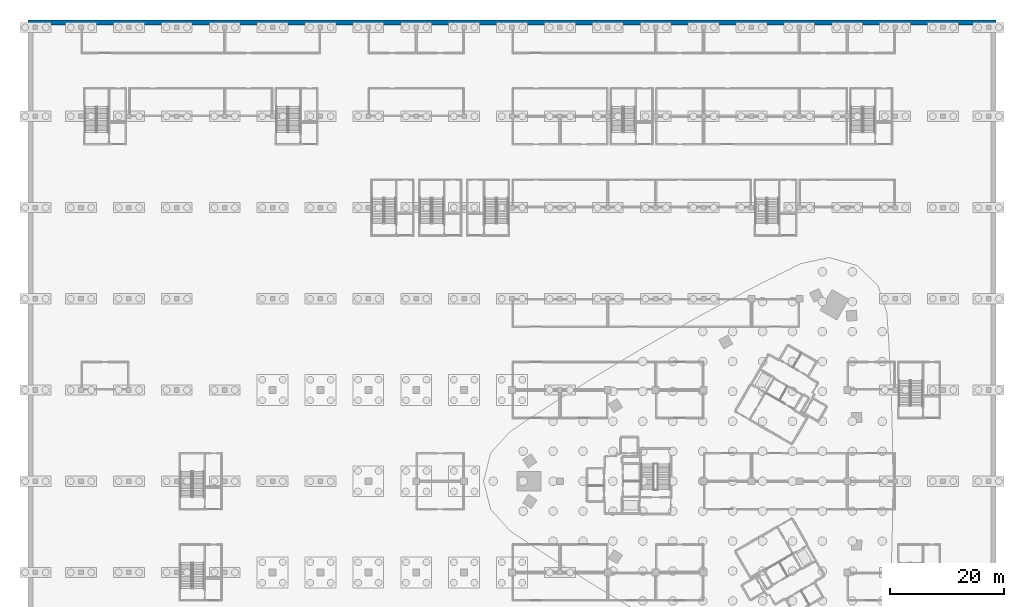
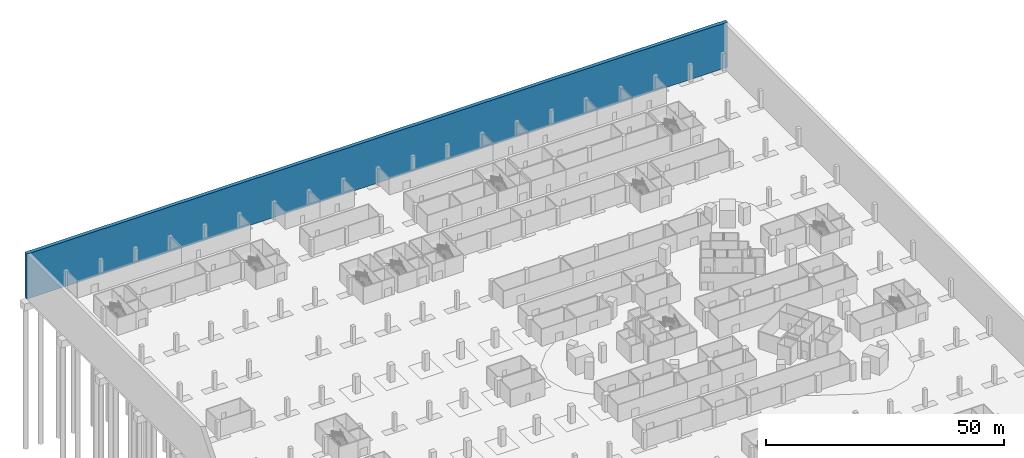
# One storey, part 24 of 46: 1 wall.
"""IFC4 building model written with IfcOpenShell, lengths in metres."""

from ifc_helpers import new_model, si_unit, direction, frame, frame_2d, origin, place, context, subcontext, project, spatial, rectangle, extrude, material, layer, layer_set, type_object, element, save


model = new_model("IFC4")

# Units and contexts
model_context = context("Model", 3, precision=1e-05, world=origin(), true_north=direction((0.0, 1.0)))
body_context = subcontext(model_context, "Body", "Model", "MODEL_VIEW")
ifc_project = project(units=[si_unit("LENGTHUNIT", "METRE"), si_unit("AREAUNIT", "SQUARE_METRE"), si_unit("VOLUMEUNIT", "CUBIC_METRE"), si_unit("PLANEANGLEUNIT", "RADIAN"), si_unit("MASSUNIT", "GRAM", prefix="KILO")], contexts=[model_context])

# Site, building, storey
site_placement = place(None, origin())
site = spatial("IfcSite", under=ifc_project, at=site_placement, CompositionType="ELEMENT")
building_placement = place(site_placement, origin())
building = spatial("IfcBuilding", under=site, at=building_placement, Name="Tamra Quay Hotel Tower", CompositionType="ELEMENT")
storey_placement = place(building_placement, frame((0.0, 0.0, -12.0)))
storey = spatial("IfcBuildingStorey", under=building, at=storey_placement, Name="B3", CompositionType="ELEMENT", Elevation=-12.0)

# Wall
ifc_material = material(Name="Concrete M70", Category="concrete")
ifc_layer = layer(ifc_material, 0.89990234375)
ifc_layer_set = layer_set([ifc_layer], Name="RETAINING WALL 900")
wall_type = type_object("IfcWallType", Name="RETAINING WALL 900", PredefinedType="USERDEFINED", material=ifc_layer_set)
wall_placement = place(storey_placement, frame((-123.60009765625, 80.449951171875, 0.0), z_axis=(0.0, 0.0, 1.0), x_axis=(1.0, 0.0, 0.0)))
element("IfcWall", 1, at=wall_placement, inside=storey, type_object=wall_type, Name="RW900", ObjectType="RETAINING", PredefinedType="USERDEFINED", context=body_context, shape_type="SweptSolid", body=[
    extrude(rectangle(XDim=169.800048828125, YDim=0.89990234375, at=frame_2d((84.89990234375, 0.0))), origin(), (0.0, 0.0, 1.0), 11.550048828125),
])

save(model, "model.ifc")
